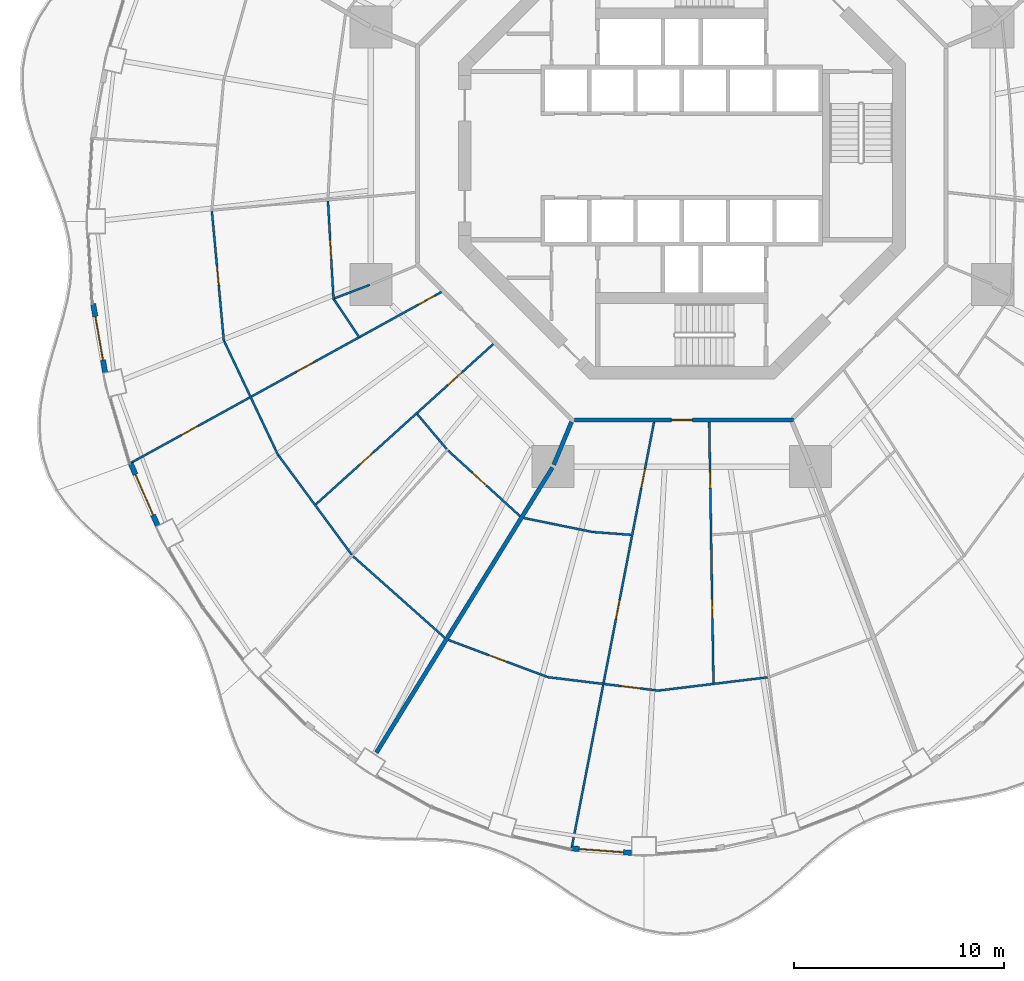
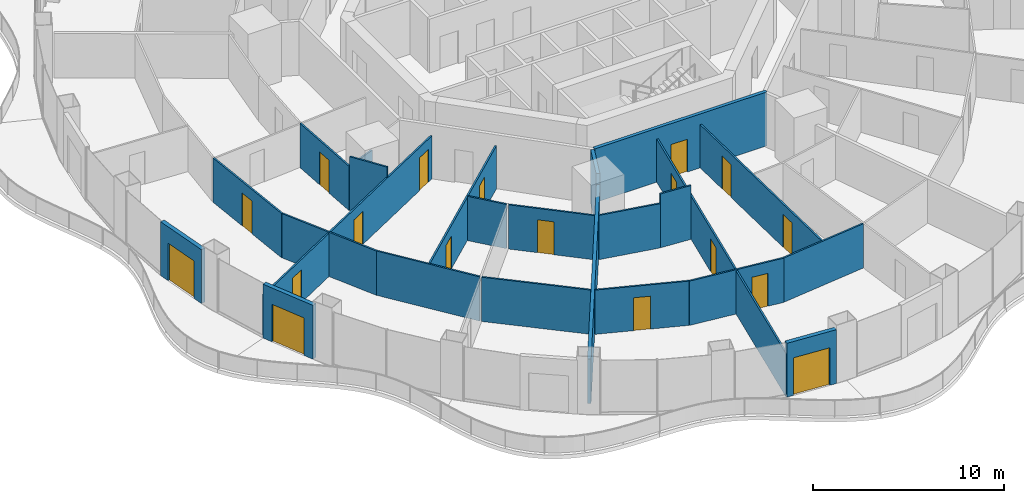
# One storey, part 13 of 21: 24 walls, 18 doors, 18 openings.
"""IFC4 building model written with IfcOpenShell, lengths in metres."""

from ifc_helpers import new_model, si_unit, direction, frame, frame_2d, origin, place, context, subcontext, project, spatial, rectangle, extrude, material, layer, layer_set, type_object, element, fill, save


model = new_model("IFC4")

# Units and contexts
model_context = context("Model", 3, precision=1e-05, world=origin(), true_north=direction((0.0, 1.0)))
body_context = subcontext(model_context, "Body", "Model", "MODEL_VIEW")
ifc_project = project(units=[si_unit("LENGTHUNIT", "METRE"), si_unit("AREAUNIT", "SQUARE_METRE"), si_unit("VOLUMEUNIT", "CUBIC_METRE"), si_unit("PLANEANGLEUNIT", "RADIAN"), si_unit("MASSUNIT", "GRAM", prefix="KILO")], contexts=[model_context])

# Site, building, storey
site_placement = place(None, origin())
site = spatial("IfcSite", under=ifc_project, at=site_placement, CompositionType="ELEMENT")
building_placement = place(site_placement, origin())
building = spatial("IfcBuilding", under=site, at=building_placement, Name="Nagisa Residences", CompositionType="ELEMENT")
storey_placement = place(building_placement, frame((0.0, 0.0, 134.39990234375)))
storey = spatial("IfcBuildingStorey", under=building, at=storey_placement, Name="L33", CompositionType="ELEMENT", Elevation=134.39990234375)

# Walls
ifc_material_1 = material(Name="Gypsum board on steel studs", Category="steel")
ifc_layer_1 = layer(ifc_material_1, 0.199951171875)
ifc_layer_set_1 = layer_set([ifc_layer_1], Name="Apartment compartment wall EI60 200")
wall_type_1 = type_object("IfcWallType", Name="Apartment compartment wall EI60 200", PredefinedType="PARTITIONING", material=ifc_layer_set_1)
wall_1_placement = place(storey_placement, frame((-5.24267578125, -12.6572265625, 0.0), z_axis=(0.0, 0.0, 1.0), x_axis=(-0.382818775282, -0.923823460025, 0.0)))
element("IfcWall", 1, at=wall_1_placement, inside=storey, type_object=wall_type_1, Name="wall:L33:u06", PredefinedType="PARTITIONING", context=body_context, shape_type="SweptSolid", body=[
    extrude(rectangle(XDim=2.200927734375, YDim=0.199951171875, at=frame_2d((1.1005859375, 0.0))), origin(), (0.0, 0.0, 1.0), 3.440185546875),
])
wall_2_placement = place(storey_placement, frame((-6.149169921875, -14.82470703125, 0.0), z_axis=(0.0, 0.0, 1.0), x_axis=(-0.525406383516, -0.85085141603, 0.0)))
element("IfcWall", 2, at=wall_2_placement, inside=storey, type_object=wall_type_1, Name="wall:L33:u07", PredefinedType="PARTITIONING", context=body_context, shape_type="SweptSolid", body=[
    extrude(rectangle(XDim=15.9248046875, YDim=0.199951171875, at=frame_2d((7.96240234375, 0.0))), origin(), (0.0, 0.0, 1.0), 2.828125),
])

# Wall, opening, door
ifc_material_2 = material(Name="Gypsum board on steel studs", Category="steel")
ifc_layer_2 = layer(ifc_material_2, 0.199951171875)
ifc_layer_set_2 = layer_set([ifc_layer_2], Name="Apartment entry wall EI60 200")
wall_type_2 = type_object("IfcWallType", Name="Apartment entry wall EI60 200", PredefinedType="PARTITIONING", material=ifc_layer_set_2)
wall_3_placement = place(storey_placement, frame((-5.1044921875, -12.564697265625, 0.0), z_axis=(0.0, 0.0, 1.0), x_axis=(1.0, 0.0, 0.0)))
wall_3 = element("IfcWall", 3, at=wall_3_placement, inside=storey, type_object=wall_type_2, Name="wall:L33:u16", PredefinedType="PARTITIONING", context=body_context, shape_type="SweptSolid", body=[
    extrude(rectangle(XDim=10.408935546875, YDim=0.199951171875, at=frame_2d((5.20458984375, 0.0))), origin(), (0.0, 0.0, 1.0), 3.440185546875),
])
opening_1_placement = place(wall_3_placement, frame((4.6044921875, 0.0, 0.0)))
opening_1 = element("IfcOpeningElement", 4, at=opening_1_placement, cuts=wall_3, Name="Opening L33-U22", PredefinedType="OPENING", context=body_context, shape_type="SweptSolid", body=[
    extrude(rectangle(XDim=1.0, YDim=2.10009765625, at=frame_2d((0.5, 1.050048828125))), frame((0.0, 0.10986328125, 0.0), z_axis=(0.0, -1.0, 0.0), x_axis=(1.0, 0.0, 0.0)), (0.0, 0.0, 1.0), 0.219970703125),
])
ifc_material_3 = material(Name="Timber fire door set", Category="wood")
door_type_1 = type_object("IfcDoorType", Name="Apartment entry door FD30S 1000x2100", OperationType="NOTDEFINED", PredefinedType="DOOR", material=ifc_material_3)
door_1_placement = place(opening_1_placement, frame((1.0, 0.0, 0.0), x_axis=(-1.0, 0.0, 0.0)))
door_1 = element("IfcDoor", 5, at=door_1_placement, inside=storey, type_object=door_type_1, Name="Entry door, Apartment 33C", OperationType="SINGLE_SWING_LEFT", OverallHeight=2.10009765625, OverallWidth=1.0, PredefinedType="DOOR", context=body_context, shape_type="SweptSolid", body=[
    extrude(rectangle(XDim=1.0, YDim=2.10009765625, at=frame_2d((0.5, 1.050048828125))), frame((0.0, 0.02490234375, 0.0), z_axis=(0.0, -1.0, 0.0), x_axis=(1.0, 0.0, 0.0)), (0.0, 0.0, 1.0), 0.050048828125),
])
fill(opening_1, door_1)

ifc_material_4 = material(Name="Gypsum board on steel studs", Category="steel")
ifc_layer_3 = layer(ifc_material_4, 0.10009765625)
ifc_layer_set_3 = layer_set([ifc_layer_3], Name="Apartment partition 100")
wall_type_3 = type_object("IfcWallType", Name="Apartment partition 100", PredefinedType="PARTITIONING", material=ifc_layer_set_3)
wall_4_placement = place(storey_placement, frame((-16.81982421875, -2.158203125, 0.0), z_axis=(0.0, 0.0, 1.0), x_axis=(0.055967931845, -0.998432566879, 0.0)))
wall_4 = element("IfcWall", 6, at=wall_4_placement, inside=storey, type_object=wall_type_3, Name="wall:L33:u57", PredefinedType="PARTITIONING", context=body_context, shape_type="SweptSolid", body=[
    extrude(rectangle(XDim=4.697998046875, YDim=0.10009765625, at=frame_2d((2.34912109375, 0.0))), origin(), (0.0, 0.0, 1.0), 2.828125),
])
opening_2_placement = place(wall_4_placement, frame((1.8740234375, 0.0, 0.0)))
opening_2 = element("IfcOpeningElement", 7, at=opening_2_placement, cuts=wall_4, Name="Opening L33-U18", PredefinedType="OPENING", context=body_context, shape_type="SweptSolid", body=[
    extrude(rectangle(XDim=0.89990234375, YDim=2.10009765625, at=frame_2d((0.449951171875, 1.050048828125))), frame((0.0, 0.06005859375, 0.0), z_axis=(0.0, -1.0, 0.0), x_axis=(1.0, 0.0, 0.0)), (0.0, 0.0, 1.0), 0.1201171875),
])
ifc_material_5 = material(Name="Timber door set", Category="wood")
door_type_2 = type_object("IfcDoorType", Name="Apartment door 900x2100", OperationType="NOTDEFINED", PredefinedType="DOOR", material=ifc_material_5)
door_2_placement = place(opening_2_placement, origin())
door_2 = element("IfcDoor", 8, at=door_2_placement, inside=storey, type_object=door_type_2, Name="Door to store, Apartment 33B", OperationType="SINGLE_SWING_RIGHT", OverallHeight=2.10009765625, OverallWidth=0.89990234375, PredefinedType="DOOR", context=body_context, shape_type="SweptSolid", body=[
    extrude(rectangle(XDim=0.89990234375, YDim=2.10009765625, at=frame_2d((0.449951171875, 1.050048828125))), frame((0.0, 0.02490234375, 0.0), z_axis=(0.0, -1.0, 0.0), x_axis=(1.0, 0.0, 0.0)), (0.0, 0.0, 1.0), 0.050048828125),
])
fill(opening_2, door_2)

wall_5_placement = place(storey_placement, frame((-22.337646484375, -2.64208984375, 0.0), z_axis=(0.0, 0.0, 1.0), x_axis=(0.091768304523, -0.995780386574, 0.0)))
wall_5 = element("IfcWall", 9, at=wall_5_placement, inside=storey, type_object=wall_type_3, Name="wall:L33:u58", PredefinedType="PARTITIONING", context=body_context, shape_type="SweptSolid", body=[
    extrude(rectangle(XDim=6.214599609375, YDim=0.10009765625, at=frame_2d((3.107421875, 0.0))), origin(), (0.0, 0.0, 1.0), 2.828125),
])
opening_3_placement = place(wall_5_placement, frame((2.63232421875, 0.0, 0.0)))
opening_3 = element("IfcOpeningElement", 10, at=opening_3_placement, cuts=wall_5, Name="Opening L33-U15", PredefinedType="OPENING", context=body_context, shape_type="SweptSolid", body=[
    extrude(rectangle(XDim=0.89990234375, YDim=2.10009765625, at=frame_2d((0.449951171875, 1.050048828125))), frame((0.0, 0.06005859375, 0.0), z_axis=(0.0, -1.0, 0.0), x_axis=(1.0, 0.0, 0.0)), (0.0, 0.0, 1.0), 0.1201171875),
])
door_3_placement = place(opening_3_placement, frame((0.89990234375, 0.0, 0.0), x_axis=(-1.0, 0.0, 0.0)))
door_3 = element("IfcDoor", 11, at=door_3_placement, inside=storey, type_object=door_type_2, Name="Door to family room, Apartment 33B", OperationType="SINGLE_SWING_RIGHT", OverallHeight=2.10009765625, OverallWidth=0.89990234375, PredefinedType="DOOR", context=body_context, shape_type="SweptSolid", body=[
    extrude(rectangle(XDim=0.89990234375, YDim=2.10009765625, at=frame_2d((0.449951171875, 1.050048828125))), frame((0.0, 0.02490234375, 0.0), z_axis=(0.0, -1.0, 0.0), x_axis=(1.0, 0.0, 0.0)), (0.0, 0.0, 1.0), 0.050048828125),
])
fill(opening_3, door_3)

# Walls
wall_6_placement = place(storey_placement, frame((-14.828857421875, -6.140625, 0.0), z_axis=(0.0, 0.0, 1.0), x_axis=(-0.934704367514, -0.355426146128, 0.0)))
element("IfcWall", 12, at=wall_6_placement, inside=storey, type_object=wall_type_3, Name="wall:L33:u60", PredefinedType="PARTITIONING", context=body_context, shape_type="SweptSolid", body=[
    extrude(rectangle(XDim=1.8017578125, YDim=0.10009765625, at=frame_2d((0.90087890625, 0.0))), origin(), (0.0, 0.0, 1.0), 2.828125),
])
wall_7_placement = place(storey_placement, frame((-16.53173828125, -6.84033203125, 0.0), z_axis=(0.0, 0.0, 1.0), x_axis=(0.556994773624, -0.830515997531, 0.0)))
element("IfcWall", 13, at=wall_7_placement, inside=storey, type_object=wall_type_3, Name="wall:L33:u61", PredefinedType="PARTITIONING", context=body_context, shape_type="SweptSolid", body=[
    extrude(rectangle(XDim=2.183349609375, YDim=0.10009765625, at=frame_2d((1.091796875, 0.0))), origin(), (0.0, 0.0, 1.0), 3.440185546875),
])
wall_8_placement = place(storey_placement, frame((-21.75048828125, -8.826171875, 0.0), z_axis=(0.0, 0.0, 1.0), x_axis=(0.427736419988, -0.903903509793, 0.0)))
element("IfcWall", 14, at=wall_8_placement, inside=storey, type_object=wall_type_3, Name="wall:L33:u62", PredefinedType="PARTITIONING", context=body_context, shape_type="SweptSolid", body=[
    extrude(rectangle(XDim=5.998779296875, YDim=0.10009765625, at=frame_2d((2.99951171875, 0.0))), origin(), (0.0, 0.0, 1.0), 2.828125),
])

# Wall, openings, doors
wall_9_placement = place(storey_placement, frame((-11.42578125, -6.4794921875, 0.0), z_axis=(0.0, 0.0, 1.0), x_axis=(-0.876110392495, -0.482110547657, 0.0)))
wall_9 = element("IfcWall", 15, at=wall_9_placement, inside=storey, type_object=wall_type_3, Name="wall:L33:u63", PredefinedType="PARTITIONING", context=body_context, shape_type="SweptSolid", body=[
    extrude(rectangle(XDim=16.954833984375, YDim=0.10009765625, at=frame_2d((8.4775390625, 0.0))), origin(), (0.0, 0.0, 1.0), 2.756103515625),
])
opening_4_placement = place(wall_9_placement, frame((0.35009765625, 0.0, 0.0)))
opening_4 = element("IfcOpeningElement", 16, at=opening_4_placement, cuts=wall_9, Name="Opening L33-U10", PredefinedType="OPENING", context=body_context, shape_type="SweptSolid", body=[
    extrude(rectangle(XDim=0.89990234375, YDim=2.10009765625, at=frame_2d((0.449951171875, 1.050048828125))), frame((0.0, 0.06005859375, 0.0), z_axis=(0.0, -1.0, 0.0), x_axis=(1.0, 0.0, 0.0)), (0.0, 0.0, 1.0), 0.1201171875),
])
opening_5_placement = place(wall_9_placement, frame((6.956787109375, 0.0, 0.0)))
opening_5 = element("IfcOpeningElement", 17, at=opening_5_placement, cuts=wall_9, Name="Opening L33-U12", PredefinedType="OPENING", context=body_context, shape_type="SweptSolid", body=[
    extrude(rectangle(XDim=0.89990234375, YDim=2.10009765625, at=frame_2d((0.449951171875, 1.050048828125))), frame((0.0, 0.06005859375, 0.0), z_axis=(0.0, -1.0, 0.0), x_axis=(1.0, 0.0, 0.0)), (0.0, 0.0, 1.0), 0.1201171875),
])
opening_6_placement = place(wall_9_placement, frame((13.2060546875, 0.0, 0.0)))
opening_6 = element("IfcOpeningElement", 18, at=opening_6_placement, cuts=wall_9, Name="Opening L33-U16", PredefinedType="OPENING", context=body_context, shape_type="SweptSolid", body=[
    extrude(rectangle(XDim=0.89990234375, YDim=2.10009765625, at=frame_2d((0.449951171875, 1.050048828125))), frame((0.0, 0.06005859375, 0.0), z_axis=(0.0, -1.0, 0.0), x_axis=(1.0, 0.0, 0.0)), (0.0, 0.0, 1.0), 0.1201171875),
])
door_4_placement = place(opening_4_placement, frame((0.89990234375, 0.0, 0.0), x_axis=(-1.0, 0.0, 0.0)))
door_4 = element("IfcDoor", 19, at=door_4_placement, inside=storey, type_object=door_type_2, Name="Door to family bathroom, Apartment 33B", OperationType="SINGLE_SWING_LEFT", OverallHeight=2.10009765625, OverallWidth=0.89990234375, PredefinedType="DOOR", context=body_context, shape_type="SweptSolid", body=[
    extrude(rectangle(XDim=0.89990234375, YDim=2.10009765625, at=frame_2d((0.449951171875, 1.050048828125))), frame((0.0, 0.02490234375, 0.0), z_axis=(0.0, -1.0, 0.0), x_axis=(1.0, 0.0, 0.0)), (0.0, 0.0, 1.0), 0.050048828125),
])
fill(opening_4, door_4)
door_5_placement = place(opening_5_placement, frame((0.89990234375, 0.0, 0.0), x_axis=(-1.0, 0.0, 0.0)))
door_5 = element("IfcDoor", 20, at=door_5_placement, inside=storey, type_object=door_type_2, Name="Door to kitchen, Apartment 33B", OperationType="SINGLE_SWING_LEFT", OverallHeight=2.10009765625, OverallWidth=0.89990234375, PredefinedType="DOOR", context=body_context, shape_type="SweptSolid", body=[
    extrude(rectangle(XDim=0.89990234375, YDim=2.10009765625, at=frame_2d((0.449951171875, 1.050048828125))), frame((0.0, 0.02490234375, 0.0), z_axis=(0.0, -1.0, 0.0), x_axis=(1.0, 0.0, 0.0)), (0.0, 0.0, 1.0), 0.050048828125),
])
fill(opening_5, door_5)
door_6_placement = place(opening_6_placement, origin())
door_6 = element("IfcDoor", 21, at=door_6_placement, inside=storey, type_object=door_type_2, Name="Door to dining room, Apartment 33B", OperationType="SINGLE_SWING_RIGHT", OverallHeight=2.10009765625, OverallWidth=0.89990234375, PredefinedType="DOOR", context=body_context, shape_type="SweptSolid", body=[
    extrude(rectangle(XDim=0.89990234375, YDim=2.10009765625, at=frame_2d((0.449951171875, 1.050048828125))), frame((0.0, 0.02490234375, 0.0), z_axis=(0.0, -1.0, 0.0), x_axis=(1.0, 0.0, 0.0)), (0.0, 0.0, 1.0), 0.050048828125),
])
fill(opening_6, door_6)

# Wall
wall_10_placement = place(storey_placement, frame((-19.17626953125, -14.24365234375, 0.0), z_axis=(0.0, 0.0, 1.0), x_axis=(0.593532053206, -0.80481035146, 0.0)))
element("IfcWall", 22, at=wall_10_placement, inside=storey, type_object=wall_type_3, Name="wall:L33:u64", PredefinedType="PARTITIONING", context=body_context, shape_type="SweptSolid", body=[
    extrude(rectangle(XDim=5.8759765625, YDim=0.10009765625, at=frame_2d((2.93798828125, 0.0))), origin(), (0.0, 0.0, 1.0), 2.828125),
])

# Wall, openings, doors
wall_11_placement = place(storey_placement, frame((-8.958740234375, -8.95166015625, 0.0), z_axis=(0.0, 0.0, 1.0), x_axis=(-0.741982736283, -0.670418987692, 0.0)))
wall_11 = element("IfcWall", 23, at=wall_11_placement, inside=storey, type_object=wall_type_3, Name="wall:L33:u65", PredefinedType="PARTITIONING", context=body_context, shape_type="SweptSolid", body=[
    extrude(rectangle(XDim=11.37060546875, YDim=0.10009765625, at=frame_2d((5.685302734375, 0.0))), origin(), (0.0, 0.0, 1.0), 2.756103515625),
])
opening_7_placement = place(wall_11_placement, frame((2.008544921875, 0.0, 0.0)))
opening_7 = element("IfcOpeningElement", 24, at=opening_7_placement, cuts=wall_11, Name="Opening L33-U11", PredefinedType="OPENING", context=body_context, shape_type="SweptSolid", body=[
    extrude(rectangle(XDim=0.89990234375, YDim=2.10009765625, at=frame_2d((0.449951171875, 1.050048828125))), frame((0.0, 0.06005859375, 0.0), z_axis=(0.0, -1.0, 0.0), x_axis=(1.0, 0.0, 0.0)), (0.0, 0.0, 1.0), 0.1201171875),
])
opening_8_placement = place(wall_11_placement, frame((7.693603515625, 0.0, 0.0)))
opening_8 = element("IfcOpeningElement", 25, at=opening_8_placement, cuts=wall_11, Name="Opening L33-U13", PredefinedType="OPENING", context=body_context, shape_type="SweptSolid", body=[
    extrude(rectangle(XDim=0.89990234375, YDim=2.10009765625, at=frame_2d((0.449951171875, 1.050048828125))), frame((0.0, 0.06005859375, 0.0), z_axis=(0.0, -1.0, 0.0), x_axis=(1.0, 0.0, 0.0)), (0.0, 0.0, 1.0), 0.1201171875),
])
door_7_placement = place(opening_7_placement, origin())
door_7 = element("IfcDoor", 26, at=door_7_placement, inside=storey, type_object=door_type_2, Name="Door to store, Apartment 33B", OperationType="SINGLE_SWING_LEFT", OverallHeight=2.10009765625, OverallWidth=0.89990234375, PredefinedType="DOOR", context=body_context, shape_type="SweptSolid", body=[
    extrude(rectangle(XDim=0.89990234375, YDim=2.10009765625, at=frame_2d((0.449951171875, 1.050048828125))), frame((0.0, 0.02490234375, 0.0), z_axis=(0.0, -1.0, 0.0), x_axis=(1.0, 0.0, 0.0)), (0.0, 0.0, 1.0), 0.050048828125),
])
fill(opening_7, door_7)
door_8_placement = place(opening_8_placement, origin())
door_8 = element("IfcDoor", 27, at=door_8_placement, inside=storey, type_object=door_type_2, Name="Door to family bathroom, Apartment 33B", OperationType="SINGLE_SWING_LEFT", OverallHeight=2.10009765625, OverallWidth=0.89990234375, PredefinedType="DOOR", context=body_context, shape_type="SweptSolid", body=[
    extrude(rectangle(XDim=0.89990234375, YDim=2.10009765625, at=frame_2d((0.449951171875, 1.050048828125))), frame((0.0, 0.02490234375, 0.0), z_axis=(0.0, -1.0, 0.0), x_axis=(1.0, 0.0, 0.0)), (0.0, 0.0, 1.0), 0.050048828125),
])
fill(opening_8, door_8)

# Wall
wall_12_placement = place(storey_placement, frame((-12.574951171875, -12.286376953125, 0.0), z_axis=(0.0, 0.0, 1.0), x_axis=(0.644052758448, -0.764981074495, 0.0)))
element("IfcWall", 28, at=wall_12_placement, inside=storey, type_object=wall_type_3, Name="wall:L33:u66", PredefinedType="PARTITIONING", context=body_context, shape_type="SweptSolid", body=[
    extrude(rectangle(XDim=2.17431640625, YDim=0.10009765625, at=frame_2d((1.087158203125, 0.0))), origin(), (0.0, 0.0, 1.0), 2.828125),
])

# Wall, opening, door
wall_13_placement = place(storey_placement, frame((-11.10546875, -14.021484375, 0.0), z_axis=(0.0, 0.0, 1.0), x_axis=(0.738880014758, -0.673837015747, 0.0)))
wall_13 = element("IfcWall", 29, at=wall_13_placement, inside=storey, type_object=wall_type_3, Name="wall:L33:u68", PredefinedType="PARTITIONING", context=body_context, shape_type="SweptSolid", body=[
    extrude(rectangle(XDim=4.62060546875, YDim=0.10009765625, at=frame_2d((2.310302734375, 0.0))), origin(), (0.0, 0.0, 1.0), 2.828125),
])
opening_9_placement = place(wall_13_placement, frame((1.55810546875, 0.0, 0.0)))
opening_9 = element("IfcOpeningElement", 30, at=opening_9_placement, cuts=wall_13, Name="Opening L33-U14", PredefinedType="OPENING", context=body_context, shape_type="SweptSolid", body=[
    extrude(rectangle(XDim=0.89990234375, YDim=2.10009765625, at=frame_2d((0.449951171875, 1.050048828125))), frame((0.0, 0.06005859375, 0.0), z_axis=(0.0, -1.0, 0.0), x_axis=(1.0, 0.0, 0.0)), (0.0, 0.0, 1.0), 0.1201171875),
])
door_9_placement = place(opening_9_placement, frame((0.89990234375, 0.0, 0.0), x_axis=(-1.0, 0.0, 0.0)))
door_9 = element("IfcDoor", 31, at=door_9_placement, inside=storey, type_object=door_type_2, Name="Door to dining room, Apartment 33B", OperationType="SINGLE_SWING_LEFT", OverallHeight=2.10009765625, OverallWidth=0.89990234375, PredefinedType="DOOR", context=body_context, shape_type="SweptSolid", body=[
    extrude(rectangle(XDim=0.89990234375, YDim=2.10009765625, at=frame_2d((0.449951171875, 1.050048828125))), frame((0.0, 0.02490234375, 0.0), z_axis=(0.0, -1.0, 0.0), x_axis=(1.0, 0.0, 0.0)), (0.0, 0.0, 1.0), 0.050048828125),
])
fill(opening_9, door_9)

# Walls
wall_14_placement = place(storey_placement, frame((-15.621826171875, -19.046142578125, 0.0), z_axis=(0.0, 0.0, 1.0), x_axis=(0.747342322463, -0.664439201925, 0.0)))
element("IfcWall", 32, at=wall_14_placement, inside=storey, type_object=wall_type_3, Name="wall:L33:u69", PredefinedType="PARTITIONING", context=body_context, shape_type="SweptSolid", body=[
    extrude(rectangle(XDim=5.830810546875, YDim=0.10009765625, at=frame_2d((2.91552734375, 0.0))), origin(), (0.0, 0.0, 1.0), 2.828125),
])
wall_15_placement = place(storey_placement, frame((-7.51953125, -17.222412109375, 0.0), z_axis=(0.0, 0.0, 1.0), x_axis=(0.979964966792, -0.199169937141, 0.0)))
element("IfcWall", 33, at=wall_15_placement, inside=storey, type_object=wall_type_3, Name="wall:L33:u70", PredefinedType="PARTITIONING", context=body_context, shape_type="SweptSolid", body=[
    extrude(rectangle(XDim=3.396728515625, YDim=0.10009765625, at=frame_2d((1.6982421875, 0.0))), origin(), (0.0, 0.0, 1.0), 2.828125),
])

# Wall, opening, door
wall_16_placement = place(storey_placement, frame((-11.095703125, -23.02197265625, 0.0), z_axis=(0.0, 0.0, 1.0), x_axis=(0.936725688471, -0.350064257758, 0.0)))
wall_16 = element("IfcWall", 34, at=wall_16_placement, inside=storey, type_object=wall_type_3, Name="wall:L33:u71", PredefinedType="PARTITIONING", context=body_context, shape_type="SweptSolid", body=[
    extrude(rectangle(XDim=5.002685546875, YDim=0.10009765625, at=frame_2d((2.50146484375, 0.0))), origin(), (0.0, 0.0, 1.0), 2.828125),
])
opening_10_placement = place(wall_16_placement, frame((2.05126953125, 0.0, 0.0)))
opening_10 = element("IfcOpeningElement", 35, at=opening_10_placement, cuts=wall_16, Name="Opening L33-U28", PredefinedType="OPENING", context=body_context, shape_type="SweptSolid", body=[
    extrude(rectangle(XDim=0.89990234375, YDim=2.10009765625, at=frame_2d((0.449951171875, 1.050048828125))), frame((0.0, 0.06005859375, 0.0), z_axis=(0.0, -1.0, 0.0), x_axis=(1.0, 0.0, 0.0)), (0.0, 0.0, 1.0), 0.1201171875),
])
door_10_placement = place(opening_10_placement, frame((0.89990234375, 0.0, 0.0), x_axis=(-1.0, 0.0, 0.0)))
door_10 = element("IfcDoor", 36, at=door_10_placement, inside=storey, type_object=door_type_2, Name="Door to dining room, Apartment 33C", OperationType="SINGLE_SWING_LEFT", OverallHeight=2.10009765625, OverallWidth=0.89990234375, PredefinedType="DOOR", context=body_context, shape_type="SweptSolid", body=[
    extrude(rectangle(XDim=0.89990234375, YDim=2.10009765625, at=frame_2d((0.449951171875, 1.050048828125))), frame((0.0, 0.02490234375, 0.0), z_axis=(0.0, -1.0, 0.0), x_axis=(1.0, 0.0, 0.0)), (0.0, 0.0, 1.0), 0.050048828125),
])
fill(opening_10, door_10)

# Wall
wall_17_placement = place(storey_placement, frame((-4.190185546875, -17.892578125, 0.0), z_axis=(0.0, 0.0, 1.0), x_axis=(0.99727037024, -0.07383636395, 0.0)))
element("IfcWall", 37, at=wall_17_placement, inside=storey, type_object=wall_type_3, Name="wall:L33:u72", PredefinedType="PARTITIONING", context=body_context, shape_type="SweptSolid", body=[
    extrude(rectangle(XDim=1.7822265625, YDim=0.10009765625, at=frame_2d((0.89111328125, 0.0))), origin(), (0.0, 0.0, 1.0), 3.440185546875),
])

# Wall, opening, door
wall_18_placement = place(storey_placement, frame((-6.41259765625, -24.784423828125, 0.0), z_axis=(0.0, 0.0, 1.0), x_axis=(0.99268660964, -0.120719903255, 0.0)))
wall_18 = element("IfcWall", 38, at=wall_18_placement, inside=storey, type_object=wall_type_3, Name="wall:L33:u73", PredefinedType="PARTITIONING", context=body_context, shape_type="SweptSolid", body=[
    extrude(rectangle(XDim=5.385498046875, YDim=0.10009765625, at=frame_2d((2.69287109375, 0.0))), origin(), (0.0, 0.0, 1.0), 2.828125),
])
opening_11_placement = place(wall_18_placement, frame((3.564208984375, 0.0, 0.0)))
opening_11 = element("IfcOpeningElement", 39, at=opening_11_placement, cuts=wall_18, Name="Opening L33-U29", PredefinedType="OPENING", context=body_context, shape_type="SweptSolid", body=[
    extrude(rectangle(XDim=0.89990234375, YDim=2.10009765625, at=frame_2d((0.449951171875, 1.050048828125))), frame((0.0, 0.06005859375, 0.0), z_axis=(0.0, -1.0, 0.0), x_axis=(1.0, 0.0, 0.0)), (0.0, 0.0, 1.0), 0.1201171875),
])
door_11_placement = place(opening_11_placement, frame((0.89990234375, 0.0, 0.0), x_axis=(-1.0, 0.0, 0.0)))
door_11 = element("IfcDoor", 40, at=door_11_placement, inside=storey, type_object=door_type_2, Name="Door to living room, Apartment 33C", OperationType="SINGLE_SWING_RIGHT", OverallHeight=2.10009765625, OverallWidth=0.89990234375, PredefinedType="DOOR", context=body_context, shape_type="SweptSolid", body=[
    extrude(rectangle(XDim=0.89990234375, YDim=2.10009765625, at=frame_2d((0.449951171875, 1.050048828125))), frame((0.0, 0.02490234375, 0.0), z_axis=(0.0, -1.0, 0.0), x_axis=(1.0, 0.0, 0.0)), (0.0, 0.0, 1.0), 0.050048828125),
])
fill(opening_11, door_11)

# Wall, openings, doors
wall_19_placement = place(storey_placement, frame((-1.320068359375, -12.662841796875, 0.0), z_axis=(0.0, 0.0, 1.0), x_axis=(-0.189865535907, -0.98181010296, 0.0)))
wall_19 = element("IfcWall", 41, at=wall_19_placement, inside=storey, type_object=wall_type_3, Name="wall:L33:u74", PredefinedType="PARTITIONING", context=body_context, shape_type="SweptSolid", body=[
    extrude(rectangle(XDim=20.729248046875, YDim=0.10009765625, at=frame_2d((10.36474609375, 0.0))), origin(), (0.0, 0.0, 1.0), 2.756103515625),
])
opening_12_placement = place(wall_19_placement, frame((2.28271484375, 0.0, 0.0)))
opening_12 = element("IfcOpeningElement", 42, at=opening_12_placement, cuts=wall_19, Name="Opening L33-U23", PredefinedType="OPENING", context=body_context, shape_type="SweptSolid", body=[
    extrude(rectangle(XDim=0.89990234375, YDim=2.10009765625, at=frame_2d((0.449951171875, 1.050048828125))), frame((0.0, 0.06005859375, 0.0), z_axis=(0.0, -1.0, 0.0), x_axis=(1.0, 0.0, 0.0)), (0.0, 0.0, 1.0), 0.1201171875),
])
opening_13_placement = place(wall_19_placement, frame((8.622314453125, 0.0, 0.0)))
opening_13 = element("IfcOpeningElement", 43, at=opening_13_placement, cuts=wall_19, Name="Opening L33-U25", PredefinedType="OPENING", context=body_context, shape_type="SweptSolid", body=[
    extrude(rectangle(XDim=0.89990234375, YDim=2.10009765625, at=frame_2d((0.449951171875, 1.050048828125))), frame((0.0, 0.06005859375, 0.0), z_axis=(0.0, -1.0, 0.0), x_axis=(1.0, 0.0, 0.0)), (0.0, 0.0, 1.0), 0.1201171875),
])
door_12_placement = place(opening_12_placement, frame((0.89990234375, 0.0, 0.0), x_axis=(-1.0, 0.0, 0.0)))
door_12 = element("IfcDoor", 44, at=door_12_placement, inside=storey, type_object=door_type_2, Name="Door to store, Apartment 33C", OperationType="SINGLE_SWING_RIGHT", OverallHeight=2.10009765625, OverallWidth=0.89990234375, PredefinedType="DOOR", context=body_context, shape_type="SweptSolid", body=[
    extrude(rectangle(XDim=0.89990234375, YDim=2.10009765625, at=frame_2d((0.449951171875, 1.050048828125))), frame((0.0, 0.02490234375, 0.0), z_axis=(0.0, -1.0, 0.0), x_axis=(1.0, 0.0, 0.0)), (0.0, 0.0, 1.0), 0.050048828125),
])
fill(opening_12, door_12)
door_13_placement = place(opening_13_placement, frame((0.89990234375, 0.0, 0.0), x_axis=(-1.0, 0.0, 0.0)))
door_13 = element("IfcDoor", 45, at=door_13_placement, inside=storey, type_object=door_type_2, Name="Door to kitchen, Apartment 33C", OperationType="SINGLE_SWING_RIGHT", OverallHeight=2.10009765625, OverallWidth=0.89990234375, PredefinedType="DOOR", context=body_context, shape_type="SweptSolid", body=[
    extrude(rectangle(XDim=0.89990234375, YDim=2.10009765625, at=frame_2d((0.449951171875, 1.050048828125))), frame((0.0, 0.02490234375, 0.0), z_axis=(0.0, -1.0, 0.0), x_axis=(1.0, 0.0, 0.0)), (0.0, 0.0, 1.0), 0.050048828125),
])
fill(opening_13, door_13)

# Wall
wall_20_placement = place(storey_placement, frame((-1.06640625, -25.42236328125, 0.0), z_axis=(0.0, 0.0, 1.0), x_axis=(0.992692993044, 0.120667400577, 0.0)))
element("IfcWall", 46, at=wall_20_placement, inside=storey, type_object=wall_type_3, Name="wall:L33:u75", PredefinedType="PARTITIONING", context=body_context, shape_type="SweptSolid", body=[
    extrude(rectangle(XDim=5.185546875, YDim=0.10009765625, at=frame_2d((2.5927734375, 0.0))), origin(), (0.0, 0.0, 1.0), 2.828125),
])

# Wall, openings, doors
wall_21_placement = place(storey_placement, frame((1.302734375, -12.664794921875, 0.0), z_axis=(0.0, 0.0, 1.0), x_axis=(0.016444820401, -0.999864774798, 0.0)))
wall_21 = element("IfcWall", 47, at=wall_21_placement, inside=storey, type_object=wall_type_3, Name="wall:L33:u76", PredefinedType="PARTITIONING", context=body_context, shape_type="SweptSolid", body=[
    extrude(rectangle(XDim=12.396484375, YDim=0.10009765625, at=frame_2d((6.1982421875, 0.0))), origin(), (0.0, 0.0, 1.0), 2.756103515625),
])
opening_14_placement = place(wall_21_placement, frame((2.23193359375, 0.0, 0.0)))
opening_14 = element("IfcOpeningElement", 48, at=opening_14_placement, cuts=wall_21, Name="Opening L33-U24", PredefinedType="OPENING", context=body_context, shape_type="SweptSolid", body=[
    extrude(rectangle(XDim=0.89990234375, YDim=2.10009765625, at=frame_2d((0.449951171875, 1.050048828125))), frame((0.0, 0.06005859375, 0.0), z_axis=(0.0, -1.0, 0.0), x_axis=(1.0, 0.0, 0.0)), (0.0, 0.0, 1.0), 0.1201171875),
])
opening_15_placement = place(wall_21_placement, frame((8.43017578125, 0.0, 0.0)))
opening_15 = element("IfcOpeningElement", 49, at=opening_15_placement, cuts=wall_21, Name="Opening L33-U26", PredefinedType="OPENING", context=body_context, shape_type="SweptSolid", body=[
    extrude(rectangle(XDim=0.89990234375, YDim=2.10009765625, at=frame_2d((0.449951171875, 1.050048828125))), frame((0.0, 0.06005859375, 0.0), z_axis=(0.0, -1.0, 0.0), x_axis=(1.0, 0.0, 0.0)), (0.0, 0.0, 1.0), 0.1201171875),
])
door_14_placement = place(opening_14_placement, origin())
door_14 = element("IfcDoor", 50, at=door_14_placement, inside=storey, type_object=door_type_2, Name="Door to laundry, Apartment 33C", OperationType="SINGLE_SWING_RIGHT", OverallHeight=2.10009765625, OverallWidth=0.89990234375, PredefinedType="DOOR", context=body_context, shape_type="SweptSolid", body=[
    extrude(rectangle(XDim=0.89990234375, YDim=2.10009765625, at=frame_2d((0.449951171875, 1.050048828125))), frame((0.0, 0.02490234375, 0.0), z_axis=(0.0, -1.0, 0.0), x_axis=(1.0, 0.0, 0.0)), (0.0, 0.0, 1.0), 0.050048828125),
])
fill(opening_14, door_14)
door_15_placement = place(opening_15_placement, origin())
door_15 = element("IfcDoor", 51, at=door_15_placement, inside=storey, type_object=door_type_2, Name="Door to family bathroom, Apartment 33C", OperationType="SINGLE_SWING_RIGHT", OverallHeight=2.10009765625, OverallWidth=0.89990234375, PredefinedType="DOOR", context=body_context, shape_type="SweptSolid", body=[
    extrude(rectangle(XDim=0.89990234375, YDim=2.10009765625, at=frame_2d((0.449951171875, 1.050048828125))), frame((0.0, 0.02490234375, 0.0), z_axis=(0.0, -1.0, 0.0), x_axis=(1.0, 0.0, 0.0)), (0.0, 0.0, 1.0), 0.050048828125),
])
fill(opening_15, door_15)

# Wall, opening, door
ifc_material_6 = material(Name="Precast concrete C40/50", Category="concrete")
ifc_layer_4 = layer(ifc_material_6, 0.25)
ifc_layer_set_4 = layer_set([ifc_layer_4], Name="BALCONY DOOR WALL 250")
wall_type_4 = type_object("IfcWallType", Name="BALCONY DOOR WALL 250", PredefinedType="SOLIDWALL", material=ifc_layer_set_4)
wall_22_placement = place(storey_placement, frame((-27.4111328125, -10.320068359375, 0.0), z_axis=(0.0, 0.0, 1.0), x_axis=(-0.172163521006, 0.985068384446, 0.0)))
wall_22 = element("IfcWall", 52, at=wall_22_placement, inside=storey, type_object=wall_type_4, Name="wall:L33:bay25", PredefinedType="SOLIDWALL", context=body_context, shape_type="SweptSolid", body=[
    extrude(rectangle(XDim=3.33251953125, YDim=0.25, at=frame_2d((1.666259765625, 0.0))), origin(), (0.0, 0.0, 1.0), 3.440185546875),
])
opening_16_placement = place(wall_22_placement, frame((0.6162109375, 0.0, 0.0)))
opening_16 = element("IfcOpeningElement", 53, at=opening_16_placement, cuts=wall_22, Name="Opening BD-L33-09", PredefinedType="OPENING", context=body_context, shape_type="SweptSolid", body=[
    extrude(rectangle(XDim=2.10009765625, YDim=2.39990234375, at=frame_2d((1.050048828125, 1.199951171875))), frame((0.0, 0.135009765625, 0.0), z_axis=(0.0, -1.0, 0.0), x_axis=(1.0, 0.0, 0.0)), (0.0, 0.0, 1.0), 0.27001953125),
])
ifc_material_7 = material(Name="Aluminium and clear glass", Category="aluminium")
door_type_3 = type_object("IfcDoorType", Name="BALCONY SLIDING DOOR 2100x2400", OperationType="SLIDING_TO_LEFT", PredefinedType="DOOR", material=ifc_material_7)
door_16_placement = place(opening_16_placement, origin())
door_16 = element("IfcDoor", 54, at=door_16_placement, inside=storey, type_object=door_type_3, Name="door:L33:bay25", OperationType="SLIDING_TO_LEFT", OverallHeight=2.39990234375, OverallWidth=2.10009765625, PredefinedType="DOOR", context=body_context, shape_type="SweptSolid", body=[
    extrude(rectangle(XDim=2.10009765625, YDim=2.39990234375, at=frame_2d((1.050048828125, 1.199951171875))), frame((0.0, 0.02490234375, 0.0), z_axis=(0.0, -1.0, 0.0), x_axis=(1.0, 0.0, 0.0)), (0.0, 0.0, 1.0), 0.050048828125),
])
fill(opening_16, door_16)

wall_23_placement = place(storey_placement, frame((-24.90380859375, -17.614990234375, 0.0), z_axis=(0.0, 0.0, 1.0), x_axis=(-0.397638954585, 0.917541967321, 0.0)))
wall_23 = element("IfcWall", 55, at=wall_23_placement, inside=storey, type_object=wall_type_4, Name="wall:L33:bay27", PredefinedType="SOLIDWALL", context=body_context, shape_type="SweptSolid", body=[
    extrude(rectangle(XDim=3.2607421875, YDim=0.25, at=frame_2d((1.63037109375, 0.0))), origin(), (0.0, 0.0, 1.0), 3.440185546875),
])
opening_17_placement = place(wall_23_placement, frame((0.580322265625, 0.0, 0.0)))
opening_17 = element("IfcOpeningElement", 56, at=opening_17_placement, cuts=wall_23, Name="Opening BD-L33-10", PredefinedType="OPENING", context=body_context, shape_type="SweptSolid", body=[
    extrude(rectangle(XDim=2.10009765625, YDim=2.39990234375, at=frame_2d((1.050048828125, 1.199951171875))), frame((0.0, 0.135009765625, 0.0), z_axis=(0.0, -1.0, 0.0), x_axis=(1.0, 0.0, 0.0)), (0.0, 0.0, 1.0), 0.27001953125),
])
door_17_placement = place(opening_17_placement, origin())
door_17 = element("IfcDoor", 57, at=door_17_placement, inside=storey, type_object=door_type_3, Name="door:L33:bay27", OperationType="SLIDING_TO_LEFT", OverallHeight=2.39990234375, OverallWidth=2.10009765625, PredefinedType="DOOR", context=body_context, shape_type="SweptSolid", body=[
    extrude(rectangle(XDim=2.10009765625, YDim=2.39990234375, at=frame_2d((1.050048828125, 1.199951171875))), frame((0.0, 0.02490234375, 0.0), z_axis=(0.0, -1.0, 0.0), x_axis=(1.0, 0.0, 0.0)), (0.0, 0.0, 1.0), 0.050048828125),
])
fill(opening_17, door_17)

wall_24_placement = place(storey_placement, frame((-2.38916015625, -33.143310546875, 0.0), z_axis=(0.0, 0.0, 1.0), x_axis=(-0.997231697044, 0.074356858535, 0.0)))
wall_24 = element("IfcWall", 58, at=wall_24_placement, inside=storey, type_object=wall_type_4, Name="wall:L33:bay35", PredefinedType="SOLIDWALL", context=body_context, shape_type="SweptSolid", body=[
    extrude(rectangle(XDim=2.873046875, YDim=0.25, at=frame_2d((1.4365234375, 0.0))), origin(), (0.0, 0.0, 1.0), 3.440185546875),
])
opening_18_placement = place(wall_24_placement, frame((0.386474609375, 0.0, 0.0)))
opening_18 = element("IfcOpeningElement", 59, at=opening_18_placement, cuts=wall_24, Name="Opening BD-L33-12", PredefinedType="OPENING", context=body_context, shape_type="SweptSolid", body=[
    extrude(rectangle(XDim=2.10009765625, YDim=2.39990234375, at=frame_2d((1.050048828125, 1.199951171875))), frame((0.0, 0.135009765625, 0.0), z_axis=(0.0, -1.0, 0.0), x_axis=(1.0, 0.0, 0.0)), (0.0, 0.0, 1.0), 0.27001953125),
])
door_18_placement = place(opening_18_placement, origin())
door_18 = element("IfcDoor", 60, at=door_18_placement, inside=storey, type_object=door_type_3, Name="door:L33:bay35", OperationType="SLIDING_TO_LEFT", OverallHeight=2.39990234375, OverallWidth=2.10009765625, PredefinedType="DOOR", context=body_context, shape_type="SweptSolid", body=[
    extrude(rectangle(XDim=2.10009765625, YDim=2.39990234375, at=frame_2d((1.050048828125, 1.199951171875))), frame((0.0, 0.02490234375, 0.0), z_axis=(0.0, -1.0, 0.0), x_axis=(1.0, 0.0, 0.0)), (0.0, 0.0, 1.0), 0.050048828125),
])
fill(opening_18, door_18)

save(model, "model.ifc")
